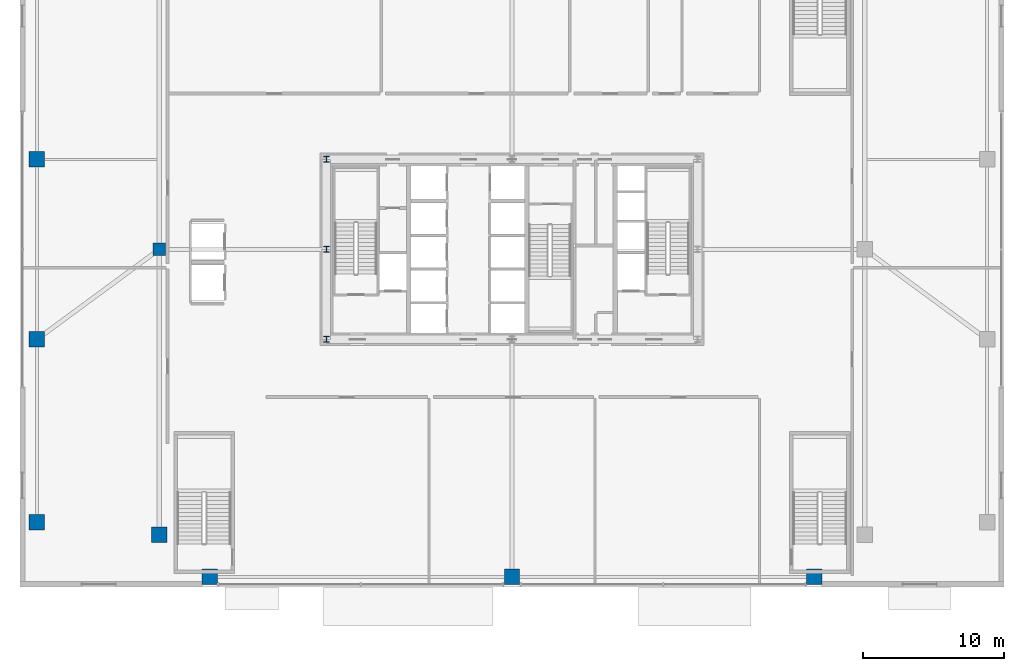
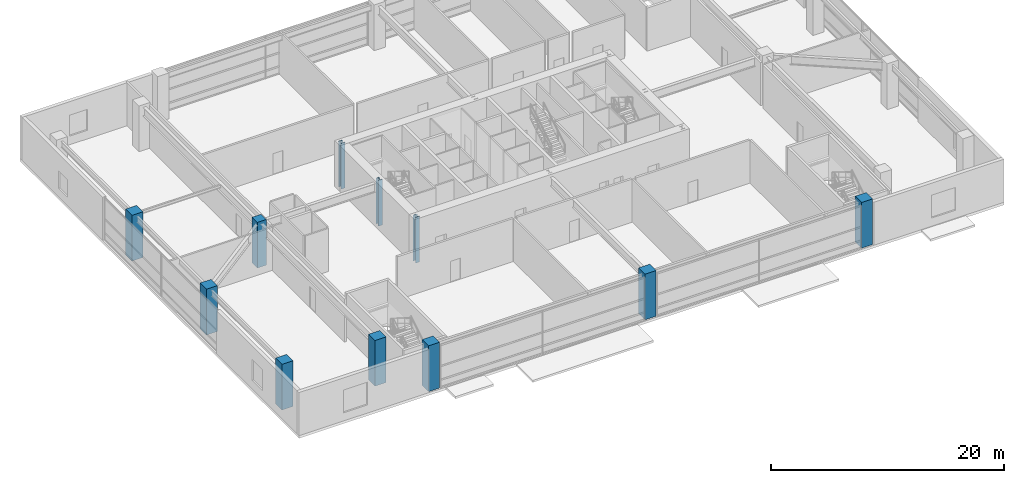
# One storey, part 1 of 37: 11 columns.
"""IFC4 building model written with IfcOpenShell, lengths in metres."""

import ifcopenshell
import ifcopenshell.guid

model = None  # the IFC model being written
_history = None  # IfcOwnerHistory: only IFC2X3 demands one
_inside = {}  # id of a spatial element -> (the spatial element, [elements in it])
_under = {}  # id of a project, library or spatial element -> (it, [spatial elements below it])
_declared = {}  # id of a project -> (the project, [libraries it declares])
_typed = {}  # id of a type object -> (the type object, [elements of that type])
_made_of = {}  # id of a material, layer set ... -> (it, [elements and type objects made of it])


def new_model(schema):
    """Start an empty IFC model of exactly this schema.

    Asked for "IFC4X3", IfcOpenShell would pick the latest addendum, in which some entities
    have other attributes; the version numbers below select the first issue.
    IFC2X3 requires an IfcOwnerHistory on every rooted entity: one is made here for all.
    """
    global model, _history
    if schema == "IFC4X3":
        model = ifcopenshell.file(schema_version=(4, 3, 0, 0))
    else:
        model = ifcopenshell.file(schema=schema)
    _inside.clear()
    _under.clear()
    _declared.clear()
    _typed.clear()
    _made_of.clear()
    _history = None
    if model.schema == "IFC2X3":
        org = make("IfcOrganization", Name="unknown")
        user = make(
            "IfcPersonAndOrganization",
            ThePerson=make("IfcPerson", FamilyName="unknown"),
            TheOrganization=org,
        )
        app = make(
            "IfcApplication",
            ApplicationDeveloper=org,
            Version="unknown",
            ApplicationFullName="unknown",
            ApplicationIdentifier="unknown",
        )
        _history = make(
            "IfcOwnerHistory",
            OwningUser=user,
            OwningApplication=app,
            ChangeAction="ADDED",
            CreationDate=0,
        )
    return model


def make(cls, **values):
    """One entity of the class cls with the attributes given. An attribute that is None is left unset."""
    return model.create_entity(
        cls, **{name: value for name, value in values.items() if value is not None}
    )


def rooted(cls, **values):
    """An entity with a GlobalId (a new one), such as an element, a storey or a relation."""
    return make(cls, GlobalId=ifcopenshell.guid.new(), OwnerHistory=_history, **values)


def si_unit(unit_type, name, prefix=None):
    """IfcSIUnit, for example si_unit("LENGTHUNIT", "METRE", prefix="MILLI")."""
    return make("IfcSIUnit", UnitType=unit_type, Prefix=prefix, Name=name)


def assignment(units):
    """IfcUnitAssignment: the units of a project."""
    return None if units is None else make("IfcUnitAssignment", Units=units)


def point(xyz):
    """IfcCartesianPoint."""
    return None if xyz is None else make("IfcCartesianPoint", Coordinates=xyz)


def direction(xyz):
    """IfcDirection."""
    return None if xyz is None else make("IfcDirection", DirectionRatios=xyz)


def frame(location, z_axis=None, x_axis=None):
    """IfcAxis2Placement3D, a coordinate frame: its origin and axes. An axis left out is left unset."""
    return make(
        "IfcAxis2Placement3D",
        Location=point(location),
        Axis=direction(z_axis),
        RefDirection=direction(x_axis),
    )


def frame_2d(location, x_axis=None):
    """IfcAxis2Placement2D, a coordinate frame in the plane: its origin and x axis."""
    return make(
        "IfcAxis2Placement2D", Location=point(location), RefDirection=direction(x_axis)
    )


def origin():
    """The frame at (0, 0, 0) with its axes left unset."""
    return frame((0.0, 0.0, 0.0))


def origin_2d():
    """The frame at (0, 0) in the plane with its x axis left unset."""
    return frame_2d((0.0, 0.0))


def place(relative_to, where):
    """IfcLocalPlacement: puts the frame where relative to a parent placement (None: the world)."""
    return make(
        "IfcLocalPlacement", PlacementRelTo=relative_to, RelativePlacement=where
    )


def context(
    kind, dimensions, precision=None, world=None, true_north=None, identifier=None
):
    """IfcGeometricRepresentationContext, for example the 3D "Model" context."""
    return make(
        "IfcGeometricRepresentationContext",
        ContextIdentifier=identifier,
        ContextType=kind,
        CoordinateSpaceDimension=dimensions,
        Precision=precision,
        WorldCoordinateSystem=world,
        TrueNorth=true_north,
    )


def subcontext(parent, identifier, kind, view, scale=None):
    """IfcGeometricRepresentationSubContext, for example "Body" below "Model"."""
    return make(
        "IfcGeometricRepresentationSubContext",
        ContextIdentifier=identifier,
        ContextType=kind,
        ParentContext=parent,
        TargetScale=scale,
        TargetView=view,
    )


def project(units=None, contexts=None):
    """IfcProject with its units and contexts."""
    return rooted(
        "IfcProject",
        Name="project",
        RepresentationContexts=contexts,
        UnitsInContext=assignment(units),
    )


def spatial(cls, under=None, at=None, **own):
    """A site, building, storey or space (cls), placed at a placement, below another one or the project."""
    s = rooted(cls, ObjectPlacement=at, **own)
    if under is not None:
        _under.setdefault(under.id(), (under, []))[1].append(s)
    return s


def profile(cls, at=None, kind="AREA", **sizes):
    """A parametric profile (cls). Its sizes go by their IFC names, for example OverallWidth=200.0."""
    return make(cls, ProfileType=kind, Position=at, **sizes)


def rectangle(**sizes):
    """IfcRectangleProfileDef."""
    return profile("IfcRectangleProfileDef", **sizes)


def i_section(**sizes):
    """IfcIShapeProfileDef."""
    return profile("IfcIShapeProfileDef", **sizes)


def extrude(swept, where, along, depth):
    """IfcExtrudedAreaSolid: the profile swept, set in the frame where, extruded along a direction by depth."""
    return make(
        "IfcExtrudedAreaSolid",
        SweptArea=swept,
        Position=where,
        ExtrudedDirection=direction(along),
        Depth=depth,
    )


def shape(context_of_items, identifier, shape_type, items):
    """IfcShapeRepresentation: the items that make up one representation, for example the "Body"."""
    return make(
        "IfcShapeRepresentation",
        ContextOfItems=context_of_items,
        RepresentationIdentifier=identifier,
        RepresentationType=shape_type,
        Items=items,
    )


def source(mapping_origin, context_of_items, identifier, shape_type, items):
    """IfcRepresentationMap: a shape defined once, which mapped items show again and again."""
    return make(
        "IfcRepresentationMap",
        MappingOrigin=mapping_origin,
        MappedRepresentation=shape(context_of_items, identifier, shape_type, items),
    )


def transform(
    local_origin,
    x_axis=None,
    y_axis=None,
    z_axis=None,
    scale=None,
    scale2=None,
    scale3=None,
    uniform=True,
):
    """IfcCartesianTransformationOperator3D, or its non-uniform kind. x_axis, y_axis, z_axis: its Axis1, 2, 3."""
    if uniform:
        return make(
            "IfcCartesianTransformationOperator3D",
            Axis1=direction(x_axis),
            Axis2=direction(y_axis),
            LocalOrigin=point(local_origin),
            Scale=scale,
            Axis3=direction(z_axis),
        )
    return make(
        "IfcCartesianTransformationOperator3DnonUniform",
        Axis1=direction(x_axis),
        Axis2=direction(y_axis),
        LocalOrigin=point(local_origin),
        Scale=scale,
        Axis3=direction(z_axis),
        Scale2=scale2,
        Scale3=scale3,
    )


def mapped(mapping_source, mapping_target):
    """IfcMappedItem: shows the shape of a source again, moved by a transform."""
    return make(
        "IfcMappedItem", MappingSource=mapping_source, MappingTarget=mapping_target
    )


def material(Name=None, Category=None):
    """IfcMaterial."""
    return make("IfcMaterial", Name=Name, Category=Category)


def material_profile(
    of_material, cross_section, Name=None, Category=None, Priority=None
):
    """IfcMaterialProfile: a cross section and its material."""
    return make(
        "IfcMaterialProfile",
        Name=Name,
        Material=of_material,
        Profile=cross_section,
        Priority=Priority,
        Category=Category,
    )


def profile_set(profiles, Name=None, composite=None):
    """IfcMaterialProfileSet."""
    return make(
        "IfcMaterialProfileSet",
        Name=Name,
        MaterialProfiles=profiles,
        CompositeProfile=composite,
    )


def made_of(thing, what):
    """Note that an element or type object is made of a material, layer set ...; save() writes the relation."""
    if what is not None:
        _made_of.setdefault(what.id(), (what, []))[1].append(thing)
    return thing


def type_object(cls, material=None, **own):
    """A type object (cls), such as IfcWallType, which elements share."""
    return made_of(rooted(cls, **own), material)


def element(
    cls,
    number,
    at=None,
    inside=None,
    cuts=None,
    type_object=None,
    material=None,
    context=None,
    identifier="Body",
    shape_type=None,
    held_by="IfcProductDefinitionShape",
    body=None,
    shapes=None,
    **own,
):
    """One element of the class cls, such as IfcWall. Its Tag is "e" and its number.

    at: its placement. inside: the storey or other place that contains it. cuts: it is an
    opening in that element (IfcRelVoidsElement). A single representation is given by context,
    identifier, shape_type and body (its items); several are given by shapes. held_by: the class
    of the entity that holds the representations. save() writes the other relations.
    """
    e = rooted(cls, Tag="e%d" % number, ObjectPlacement=at, **own)
    if body is not None:
        shapes = [shape(context, identifier, shape_type, body)]
    if shapes is not None:
        e.Representation = make(held_by, Representations=shapes)
    if inside is not None:
        _inside.setdefault(inside.id(), (inside, []))[1].append(e)
    if cuts is not None:
        rooted(
            "IfcRelVoidsElement", RelatingBuildingElement=cuts, RelatedOpeningElement=e
        )
    if type_object is not None:
        _typed.setdefault(type_object.id(), (type_object, []))[1].append(e)
    return made_of(e, material)


def aggregate(whole, parts):
    """IfcRelAggregates: a whole, such as a stair, and the parts it consists of."""
    return rooted("IfcRelAggregates", RelatingObject=whole, RelatedObjects=parts)


def save(model, path):
    """Write the relations noted so far, then the file.

    IfcRelAggregates (storeys below a building ...), IfcRelContainedInSpatialStructure (elements
    in a storey), IfcRelDefinesByType, IfcRelAssociatesMaterial and IfcRelDeclares: one each for
    every whole, place, type object, material and project.
    """
    for whole, parts in _under.values():
        aggregate(whole, parts)
    for where, things in _inside.values():
        rooted(
            "IfcRelContainedInSpatialStructure",
            RelatedElements=things,
            RelatingStructure=where,
        )
    for kind, things in _typed.values():
        rooted("IfcRelDefinesByType", RelatedObjects=things, RelatingType=kind)
    for what, things in _made_of.values():
        rooted("IfcRelAssociatesMaterial", RelatedObjects=things, RelatingMaterial=what)
    for by, libraries in _declared.values():
        rooted("IfcRelDeclares", RelatingContext=by, RelatedDefinitions=libraries)
    model.write(path)


model = new_model("IFC4")

# Units and contexts
model_context = context("Model", 3, precision=1e-05, world=origin(), true_north=direction((0.0, 1.0)))
body_context = subcontext(model_context, "Body", "Model", "MODEL_VIEW")
ifc_project = project(units=[si_unit("LENGTHUNIT", "METRE"), si_unit("AREAUNIT", "SQUARE_METRE"), si_unit("VOLUMEUNIT", "CUBIC_METRE"), si_unit("PLANEANGLEUNIT", "RADIAN"), si_unit("MASSUNIT", "GRAM", prefix="KILO"), si_unit("THERMODYNAMICTEMPERATUREUNIT", "KELVIN"), si_unit("POWERUNIT", "WATT")], contexts=[model_context])

# Site, building, storey
site_placement = place(None, origin())
site = spatial("IfcSite", under=ifc_project, at=site_placement, CompositionType="ELEMENT")
building_placement = place(site_placement, origin())
building = spatial("IfcBuilding", under=site, at=building_placement, Name="Yuzanri Waterfront Tower", CompositionType="ELEMENT")
storey_placement = place(building_placement, frame((0.0, 0.0, 5.39990234375)))
storey = spatial("IfcBuildingStorey", under=building, at=storey_placement, Name="L02", CompositionType="ELEMENT", Elevation=5.39990234375)

# Columns
ifc_material_1 = material(Name="Steel Q355B", Category="steel")
ifc_material_profile_1 = material_profile(ifc_material_1, i_section(OverallWidth=0.406982421875, OverallDepth=0.427978515625, WebThickness=0.02001953125, FlangeThickness=0.034912109375, at=origin_2d()), Name="HW 428x407x20x35")
ifc_profile_set_1 = profile_set([ifc_material_profile_1], Name="Steel Q355B")
column_type_1 = type_object("IfcColumnType", Name="Core Post Q355B HW 428x407x20x35", PredefinedType="COLUMN", material=ifc_profile_set_1)
shared_shape_1 = source(origin(), body_context, "Body", "SweptSolid", [
    extrude(i_section(OverallWidth=0.406982421875, OverallDepth=0.427978515625, WebThickness=0.02001953125, FlangeThickness=0.034912109375, at=origin_2d()), origin(), (0.0, 0.0, 1.0), 4.800048828125),
])
for number, where, z_axis, x_axis, name in (
    (1, (23.800048828125, 19.39990234375, 0.0), (0.0, 0.0, 1.0), (1.0, 0.0, 0.0), "L02 Core Boundary Column CP1"),
    (2, (23.800048828125, 25.800048828125, 0.0), (0.0, 0.0, 1.0), (1.0, 0.0, 0.0), "L02 Core Boundary Column CP4"),
    (3, (23.800048828125, 32.199951171875, 0.0), (0.0, 0.0, 1.0), (1.0, 0.0, 0.0), "L02 Core Boundary Column CP6"),
):
    element("IfcColumn", number, at=place(storey_placement, frame(where, z_axis=z_axis, x_axis=x_axis)), inside=storey, type_object=column_type_1, Name=name, PredefinedType="COLUMN", context=body_context, shape_type="MappedRepresentation", body=[
        mapped(shared_shape_1, transform((0.0, 0.0, 0.0), scale=1.0)),
    ])
ifc_material_2 = material(Name="Concrete C50", Category="concrete")
ifc_material_profile_2 = material_profile(ifc_material_2, rectangle(XDim=1.10009765625, YDim=1.10009765625, at=origin_2d()), Name="RC 1100x1100")
ifc_profile_set_2 = profile_set([ifc_material_profile_2], Name="Concrete C50")
column_type_2 = type_object("IfcColumnType", Name="Podium RC Column C50 1100x1100", PredefinedType="COLUMN", material=ifc_profile_set_2)
shared_shape_2 = source(origin(), body_context, "Body", "SweptSolid", [
    extrude(rectangle(XDim=1.10009765625, YDim=1.10009765625, at=origin_2d()), origin(), (0.0, 0.0, 1.0), 4.800048828125),
])
for number, where, z_axis, x_axis, name in (
    (4, (3.199951171875, 6.39990234375, 0.0), (0.0, 0.0, 1.0), (1.0, 0.0, 0.0), "L02 Podium Column PW1"),
    (5, (3.199951171875, 19.39990234375, 0.0), (0.0, 0.0, 1.0), (1.0, 0.0, 0.0), "L02 Podium Column PW2"),
    (6, (3.199951171875, 32.199951171875, 0.0), (0.0, 0.0, 1.0), (1.0, 0.0, 0.0), "L02 Podium Column PW3"),
    (7, (11.89990234375, 5.5, 0.0), (0.0, 0.0, 1.0), (1.0, 0.0, 0.0), "L02 Podium Column PTW1"),
    (8, (15.5, 2.5, 0.0), (0.0, 0.0, 1.0), (1.0, 0.0, 0.0), "L02 Podium Column PTS1"),
    (9, (37.0, 2.5, 0.0), (0.0, 0.0, 1.0), (1.0, 0.0, 0.0), "L02 Podium Column PTS2"),
    (10, (58.5, 2.5, 0.0), (0.0, 0.0, 1.0), (1.0, 0.0, 0.0), "L02 Podium Column PTS3"),
):
    element("IfcColumn", number, at=place(storey_placement, frame(where, z_axis=z_axis, x_axis=x_axis)), inside=storey, type_object=column_type_2, Name=name, PredefinedType="COLUMN", context=body_context, shape_type="MappedRepresentation", body=[
        mapped(shared_shape_2, transform((0.0, 0.0, 0.0), scale=1.0)),
    ])
ifc_material_3 = material(Name="Concrete C50", Category="concrete")
ifc_material_profile_3 = material_profile(ifc_material_3, rectangle(XDim=0.89990234375, YDim=0.89990234375, at=origin_2d()), Name="RC 900x900")
ifc_profile_set_3 = profile_set([ifc_material_profile_3], Name="Concrete C50")
column_type_3 = type_object("IfcColumnType", Name="Basement RC Column C50 900x900", PredefinedType="COLUMN", material=ifc_profile_set_3)
shared_shape_3 = source(origin(), body_context, "Body", "SweptSolid", [
    extrude(rectangle(XDim=0.89990234375, YDim=0.89990234375, at=origin_2d()), origin(), (0.0, 0.0, 1.0), 4.800048828125),
])
column_placement = place(storey_placement, frame((11.89990234375, 25.800048828125, 0.0), z_axis=(0.0, 0.0, 1.0), x_axis=(1.0, 0.0, 0.0)))
element("IfcColumn", 11, at=column_placement, inside=storey, type_object=column_type_3, Name="L02 Podium Ballroom-Under Column PTW2", PredefinedType="COLUMN", context=body_context, shape_type="MappedRepresentation", body=[
    mapped(shared_shape_3, transform((0.0, 0.0, 0.0), scale=1.0)),
])

save(model, "model.ifc")
